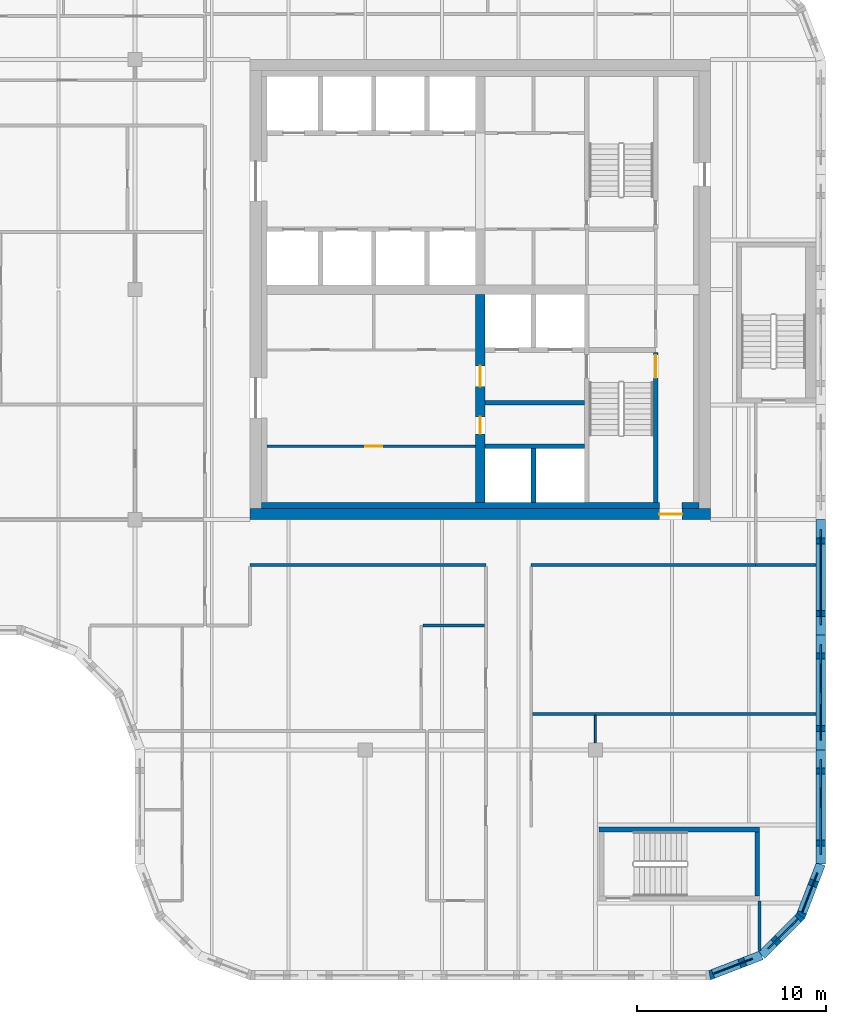
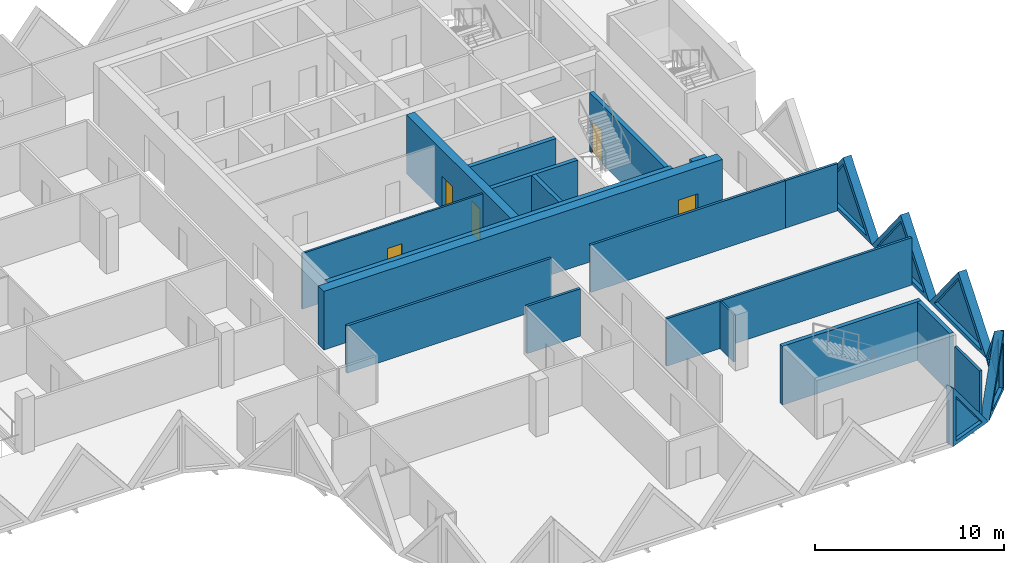
# One storey, part 5 of 12: 24 walls, 6 plates, 5 doors, 11 openings.
"""IFC4 building model written with IfcOpenShell, lengths in metres."""

from ifc_helpers import new_model, si_unit, direction, frame, frame_2d, origin, place, context, subcontext, project, spatial, polyline, rectangle, outline, extrude, faceted_brep, source, transform, mapped, material, layer, layer_set, type_object, element, fill, save


model = new_model("IFC4")

# Units and contexts
model_context = context("Model", 3, precision=1e-05, world=origin(), true_north=direction((0.0, 1.0)))
body_context = subcontext(model_context, "Body", "Model", "MODEL_VIEW")
ifc_project = project(units=[si_unit("LENGTHUNIT", "METRE"), si_unit("AREAUNIT", "SQUARE_METRE"), si_unit("VOLUMEUNIT", "CUBIC_METRE"), si_unit("PLANEANGLEUNIT", "RADIAN"), si_unit("MASSUNIT", "GRAM", prefix="KILO")], contexts=[model_context])

# Site, building, storey
site_placement = place(None, origin())
site = spatial("IfcSite", under=ifc_project, at=site_placement, CompositionType="ELEMENT")
building_placement = place(site_placement, origin())
building = spatial("IfcBuilding", under=site, at=building_placement, Name="Tessera Gate Towers", CompositionType="ELEMENT")
storey_placement = place(building_placement, frame((0.0, 0.0, 155.39990234375)))
storey = spatial("IfcBuildingStorey", under=building, at=storey_placement, Name="L38", CompositionType="ELEMENT", Elevation=155.39990234375)

# Wall, opening, door
ifc_material_1 = material(Name="Concrete C40/50", Category="concrete")
ifc_layer_1 = layer(ifc_material_1, 0.25)
ifc_layer_set_1 = layer_set([ifc_layer_1], Name="CORE ENCLOSURE WALL 250")
wall_type_1 = type_object("IfcWallType", Name="CORE ENCLOSURE WALL 250", PredefinedType="SOLIDWALL", material=ifc_layer_set_1)
wall_1_placement = place(storey_placement, frame((52.0, 25.300048828125, 0.0), z_axis=(0.0, 0.0, 1.0), x_axis=(0.0, 1.0, 0.0)))
wall_1 = element("IfcWall", 1, at=wall_1_placement, inside=storey, type_object=wall_type_1, Name="L38 shaft and stair enclosure wall", PredefinedType="SOLIDWALL", context=body_context, shape_type="SweptSolid", body=[
    extrude(rectangle(XDim=7.974853515625, YDim=0.25, at=frame_2d((3.9873046875, 0.0))), origin(), (0.0, 0.0, 1.0), 3.800048828125),
])
shared_shape_1 = source(origin(), body_context, "Body", "SweptSolid", [
    extrude(rectangle(XDim=1.199951171875, YDim=2.10009765625, at=frame_2d((0.60009765625, 1.050048828125))), frame((0.0, 0.135009765625, 0.0), z_axis=(0.0, -1.0, 0.0), x_axis=(1.0, 0.0, 0.0)), (0.0, 0.0, 1.0), 0.27001953125),
])
opening_1_placement = place(wall_1_placement, frame((6.625, 0.0, 0.0)))
opening_1 = element("IfcOpeningElement", 2, at=opening_1_placement, cuts=wall_1, Name="Opening SD-ST1-2", PredefinedType="OPENING", context=body_context, shape_type="MappedRepresentation", body=[
    mapped(shared_shape_1, transform((0.0, 0.0, 0.0), scale=1.0)),
])
ifc_material_2 = material(Name="Hollow steel fire door", Category="steel")
door_type_1 = type_object("IfcDoorType", Name="CORE DOOR SD 1200x2100", OperationType="NOTDEFINED", PredefinedType="DOOR", material=ifc_material_2)
shared_shape_2 = source(origin(), body_context, "Body", "SweptSolid", [
    extrude(rectangle(XDim=1.199951171875, YDim=2.10009765625, at=frame_2d((0.60009765625, 1.050048828125))), frame((0.0, 0.02490234375, 0.0), z_axis=(0.0, -1.0, 0.0), x_axis=(1.0, 0.0, 0.0)), (0.0, 0.0, 1.0), 0.050048828125),
])
door_1_placement = place(opening_1_placement, origin())
door_1 = element("IfcDoor", 3, at=door_1_placement, inside=storey, type_object=door_type_1, Name="Stair door", OperationType="SINGLE_SWING_RIGHT", OverallHeight=2.10009765625, OverallWidth=1.199951171875, PredefinedType="DOOR", context=body_context, shape_type="MappedRepresentation", body=[
    mapped(shared_shape_2, transform((0.0, 0.0, 0.0), scale=1.0)),
])
fill(opening_1, door_1)

# Walls
for number, where, z_axis, x_axis, name in (
    (4, (42.949951171875, 28.300048828125, 0.0), (0.0, 0.0, 1.0), (1.0, 0.0, 0.0), "L38 shaft and stair enclosure wall"),
    (5, (42.949951171875, 30.60009765625, 0.0), (0.0, 0.0, 1.0), (1.0, 0.0, 0.0), "L38 shaft and stair enclosure wall"),
):
    element("IfcWall", number, at=place(storey_placement, frame(where, z_axis=z_axis, x_axis=x_axis)), inside=storey, type_object=wall_type_1, Name=name, PredefinedType="SOLIDWALL", context=body_context, shape_type="SweptSolid", body=[
        extrude(rectangle(XDim=5.275146484375, YDim=0.25, at=frame_2d((2.6376953125, 0.0))), origin(), (0.0, 0.0, 1.0), 3.800048828125),
    ])
wall_2_placement = place(storey_placement, frame((45.52490234375, 25.300048828125, 0.0), z_axis=(0.0, 0.0, 1.0), x_axis=(0.0, 1.0, 0.0)))
element("IfcWall", 6, at=wall_2_placement, inside=storey, type_object=wall_type_1, Name="L38 shaft and stair enclosure wall", PredefinedType="SOLIDWALL", context=body_context, shape_type="SweptSolid", body=[
    extrude(rectangle(XDim=2.875, YDim=0.25, at=frame_2d((1.4375, 0.0))), origin(), (0.0, 0.0, 1.0), 3.800048828125),
])
wall_3_placement = place(storey_placement, frame((49.0, 7.97509765625, 0.0), z_axis=(0.0, 0.0, 1.0), x_axis=(1.0, 0.0, 0.0)))
element("IfcWall", 7, at=wall_3_placement, inside=storey, type_object=wall_type_1, Name="L38 ST4 enclosure wall", PredefinedType="SOLIDWALL", context=body_context, shape_type="SweptSolid", body=[
    extrude(rectangle(XDim=8.5, YDim=0.25, at=frame_2d((4.25, 0.0))), origin(), (0.0, 0.0, 1.0), 3.800048828125),
])
wall_4_placement = place(storey_placement, frame((57.375, 7.85009765625, 0.0), z_axis=(0.0, 0.0, 1.0), x_axis=(0.0, -1.0, 0.0)))
element("IfcWall", 8, at=wall_4_placement, inside=storey, type_object=wall_type_1, Name="L38 ST4 enclosure wall", PredefinedType="SOLIDWALL", context=body_context, shape_type="SweptSolid", body=[
    extrude(rectangle(XDim=3.400146484375, YDim=0.25, at=frame_2d((1.7001953125, 0.0))), origin(), (0.0, 0.0, 1.0), 3.800048828125),
])

# Wall, opening, door
ifc_material_3 = material(Name="Gypsum board on steel studs", Category="steel")
ifc_layer_2 = layer(ifc_material_3, 0.1201171875)
ifc_layer_set_2 = layer_set([ifc_layer_2], Name="CORE PARTITION 120")
wall_type_2 = type_object("IfcWallType", Name="CORE PARTITION 120", PredefinedType="PARTITIONING", material=ifc_layer_set_2)
wall_5_placement = place(storey_placement, frame((42.449951171875, 28.300048828125, 0.0), z_axis=(0.0, 0.0, 1.0), x_axis=(-1.0, 0.0, 0.0)))
wall_5 = element("IfcWall", 9, at=wall_5_placement, inside=storey, type_object=wall_type_2, Name="L38 core partition", PredefinedType="PARTITIONING", context=body_context, shape_type="SweptSolid", body=[
    extrude(rectangle(XDim=11.050048828125, YDim=0.1201171875, at=frame_2d((5.52490234375, 0.0))), origin(), (0.0, 0.0, 1.0), 3.60009765625),
])
shared_shape_3 = source(origin(), body_context, "Body", "SweptSolid", [
    extrude(rectangle(XDim=0.89990234375, YDim=2.10009765625, at=frame_2d((0.449951171875, 1.050048828125))), frame((0.0, 0.070068359375, 0.0), z_axis=(0.0, -1.0, 0.0), x_axis=(1.0, 0.0, 0.0)), (0.0, 0.0, 1.0), 0.14013671875),
])
opening_2_placement = place(wall_5_placement, frame((4.949951171875, 0.0, 0.0)))
opening_2 = element("IfcOpeningElement", 10, at=opening_2_placement, cuts=wall_5, Name="Opening RD-T1-25-07", PredefinedType="OPENING", context=body_context, shape_type="MappedRepresentation", body=[
    mapped(shared_shape_3, transform((0.0, 0.0, 0.0), scale=1.0)),
])
ifc_material_4 = material(Name="Hollow steel fire door", Category="steel")
door_type_2 = type_object("IfcDoorType", Name="CORE DOOR RD 900x2100", OperationType="NOTDEFINED", PredefinedType="DOOR", material=ifc_material_4)
shared_shape_4 = source(origin(), body_context, "Body", "SweptSolid", [
    extrude(rectangle(XDim=0.89990234375, YDim=2.10009765625, at=frame_2d((0.449951171875, 1.050048828125))), frame((0.0, 0.02490234375, 0.0), z_axis=(0.0, -1.0, 0.0), x_axis=(1.0, 0.0, 0.0)), (0.0, 0.0, 1.0), 0.050048828125),
])
door_2_placement = place(opening_2_placement, origin())
door_2 = element("IfcDoor", 11, at=door_2_placement, inside=storey, type_object=door_type_2, Name="Core room door", OperationType="SINGLE_SWING_LEFT", OverallHeight=2.10009765625, OverallWidth=0.89990234375, PredefinedType="DOOR", context=body_context, shape_type="MappedRepresentation", body=[
    mapped(shared_shape_4, transform((0.0, 0.0, 0.0), scale=1.0)),
])
fill(opening_2, door_2)

ifc_material_5 = material(Name="Concrete C50/60", Category="concrete")
ifc_layer_3 = layer(ifc_material_5, 0.60009765625)
ifc_layer_set_3 = layer_set([ifc_layer_3], Name="CORE SHEAR WALL 600 C50/60")
wall_type_3 = type_object("IfcWallType", Name="CORE SHEAR WALL 600 C50/60", PredefinedType="SHEAR", material=ifc_layer_set_3)
wall_6_placement = place(storey_placement, frame((54.89990234375, 24.699951171875, 0.0), z_axis=(0.0, 0.0, 1.0), x_axis=(-1.0, 0.0, 0.0)))
wall_6 = element("IfcWall", 12, at=wall_6_placement, inside=storey, type_object=wall_type_3, Name="Core wall S L38", PredefinedType="SHEAR", context=body_context, shape_type="SweptSolid", body=[
    extrude(rectangle(XDim=24.39990234375, YDim=0.60009765625, at=frame_2d((12.199951171875, 0.0))), origin(), (0.0, 0.0, 1.0), 3.800048828125),
])
shared_shape_5 = source(origin(), body_context, "Body", "SweptSolid", [
    extrude(rectangle(XDim=1.199951171875, YDim=2.10009765625, at=frame_2d((0.60009765625, 1.050048828125))), frame((0.0, 0.31005859375, 0.0), z_axis=(0.0, -1.0, 0.0), x_axis=(1.0, 0.0, 0.0)), (0.0, 0.0, 1.0), 0.6201171875),
])
opening_3_placement = place(wall_6_placement, frame((1.5, 0.0, 0.0)))
opening_3 = element("IfcOpeningElement", 13, at=opening_3_placement, cuts=wall_6, Name="Opening ED-T1-25-01", PredefinedType="OPENING", context=body_context, shape_type="MappedRepresentation", body=[
    mapped(shared_shape_5, transform((0.0, 0.0, 0.0), scale=1.0)),
])
ifc_material_6 = material(Name="Hollow steel fire door", Category="steel")
door_type_3 = type_object("IfcDoorType", Name="CORE DOOR ED 1200x2100", OperationType="NOTDEFINED", PredefinedType="DOOR", material=ifc_material_6)
door_3_placement = place(opening_3_placement, origin())
door_3 = element("IfcDoor", 14, at=door_3_placement, inside=storey, type_object=door_type_3, Name="Core exit door", OperationType="SINGLE_SWING_LEFT", OverallHeight=2.10009765625, OverallWidth=1.199951171875, PredefinedType="DOOR", context=body_context, shape_type="MappedRepresentation", body=[
    mapped(shared_shape_2, transform((0.0, 0.0, 0.0), scale=1.0)),
])
fill(opening_3, door_3)

# Wall, openings, doors
ifc_material_7 = material(Name="Concrete C50/60", Category="concrete")
ifc_layer_4 = layer(ifc_material_7, 0.5)
ifc_layer_set_4 = layer_set([ifc_layer_4], Name="CORE SPINE WALL 500 C50/60")
wall_type_4 = type_object("IfcWallType", Name="CORE SPINE WALL 500 C50/60", PredefinedType="SHEAR", material=ifc_layer_set_4)
wall_7_placement = place(storey_placement, frame((42.699951171875, 36.35009765625, 0.0), z_axis=(0.0, 0.0, 1.0), x_axis=(0.0, -1.0, 0.0)))
wall_7 = element("IfcWall", 15, at=wall_7_placement, inside=storey, type_object=wall_type_4, Name="Core wall spine L38", PredefinedType="SHEAR", context=body_context, shape_type="SweptSolid", body=[
    extrude(rectangle(XDim=11.050048828125, YDim=0.5, at=frame_2d((5.52490234375, 0.0))), origin(), (0.0, 0.0, 1.0), 3.800048828125),
])
shared_shape_6 = source(origin(), body_context, "Body", "SweptSolid", [
    extrude(rectangle(XDim=0.89990234375, YDim=2.10009765625, at=frame_2d((0.449951171875, 1.050048828125))), frame((0.0, 0.260009765625, 0.0), z_axis=(0.0, -1.0, 0.0), x_axis=(1.0, 0.0, 0.0)), (0.0, 0.0, 1.0), 0.52001953125),
])
opening_4_placement = place(wall_7_placement, frame((6.5, 0.0, 0.0)))
opening_4 = element("IfcOpeningElement", 16, at=opening_4_placement, cuts=wall_7, Name="Opening RD-T1-25-05", PredefinedType="OPENING", context=body_context, shape_type="MappedRepresentation", body=[
    mapped(shared_shape_6, transform((0.0, 0.0, 0.0), scale=1.0)),
])
shared_shape_7 = source(origin(), body_context, "Body", "SweptSolid", [
    extrude(rectangle(XDim=1.10009765625, YDim=2.10009765625, at=frame_2d((0.550048828125, 1.050048828125))), frame((0.0, 0.260009765625, 0.0), z_axis=(0.0, -1.0, 0.0), x_axis=(1.0, 0.0, 0.0)), (0.0, 0.0, 1.0), 0.52001953125),
])
opening_5_placement = place(wall_7_placement, frame((3.800048828125, 0.0, 0.0)))
opening_5 = element("IfcOpeningElement", 17, at=opening_5_placement, cuts=wall_7, Name="Opening FD-T1-25-06", PredefinedType="OPENING", context=body_context, shape_type="MappedRepresentation", body=[
    mapped(shared_shape_7, transform((0.0, 0.0, 0.0), scale=1.0)),
])
door_4_placement = place(opening_4_placement, origin())
door_4 = element("IfcDoor", 18, at=door_4_placement, inside=storey, type_object=door_type_2, Name="Core room door", OperationType="SINGLE_SWING_RIGHT", OverallHeight=2.10009765625, OverallWidth=0.89990234375, PredefinedType="DOOR", context=body_context, shape_type="MappedRepresentation", body=[
    mapped(shared_shape_4, transform((0.0, 0.0, 0.0), scale=1.0)),
])
fill(opening_4, door_4)
ifc_material_8 = material(Name="Hollow steel fire door", Category="steel")
door_type_4 = type_object("IfcDoorType", Name="CORE DOOR FD 1100x2100", OperationType="NOTDEFINED", PredefinedType="DOOR", material=ifc_material_8)
shared_shape_8 = source(origin(), body_context, "Body", "SweptSolid", [
    extrude(rectangle(XDim=1.10009765625, YDim=2.10009765625, at=frame_2d((0.550048828125, 1.050048828125))), frame((0.0, 0.02490234375, 0.0), z_axis=(0.0, -1.0, 0.0), x_axis=(1.0, 0.0, 0.0)), (0.0, 0.0, 1.0), 0.050048828125),
])
door_5_placement = place(opening_5_placement, origin())
door_5 = element("IfcDoor", 19, at=door_5_placement, inside=storey, type_object=door_type_4, Name="Fire-fighting lobby door", OperationType="SINGLE_SWING_LEFT", OverallHeight=2.10009765625, OverallWidth=1.10009765625, PredefinedType="DOOR", context=body_context, shape_type="MappedRepresentation", body=[
    mapped(shared_shape_8, transform((0.0, 0.0, 0.0), scale=1.0)),
])
fill(opening_5, door_5)

# Walls
ifc_material_9 = material(Name="Concrete C50/60", Category="concrete")
ifc_layer_5 = layer(ifc_material_9, 0.300048828125)
ifc_layer_set_5 = layer_set([ifc_layer_5], Name="CORE WALL THICKENING 300")
wall_type_5 = type_object("IfcWallType", Name="CORE WALL THICKENING 300", PredefinedType="SOLIDWALL", material=ifc_layer_set_5)
wall_8_placement = place(storey_placement, frame((31.10009765625, 25.14990234375, 0.0), z_axis=(0.0, 0.0, 1.0), x_axis=(1.0, 0.0, 0.0)))
element("IfcWall", 20, at=wall_8_placement, inside=storey, type_object=wall_type_5, Name="Core wall thickening S L38", PredefinedType="SOLIDWALL", context=body_context, shape_type="SweptSolid", body=[
    extrude(rectangle(XDim=21.099853515625, YDim=0.300048828125, at=frame_2d((10.5498046875, 0.0))), origin(), (0.0, 0.0, 1.0), 3.800048828125),
])
wall_9_placement = place(storey_placement, frame((53.39990234375, 25.14990234375, 0.0), z_axis=(0.0, 0.0, 1.0), x_axis=(1.0, 0.0, 0.0)))
element("IfcWall", 21, at=wall_9_placement, inside=storey, type_object=wall_type_5, Name="Core wall thickening S L38", PredefinedType="SOLIDWALL", context=body_context, shape_type="SweptSolid", body=[
    extrude(rectangle(XDim=0.900146484375, YDim=0.300048828125, at=frame_2d((0.4501953125, 0.0))), origin(), (0.0, 0.0, 1.0), 3.800048828125),
])
ifc_material_10 = material(Name="Gypsum board on steel studs, mineral wool", Category="steel")
ifc_layer_6 = layer(ifc_material_10, 0.14990234375)
ifc_layer_set_6 = layer_set([ifc_layer_6], Name="CORRIDOR WALL 150")
wall_type_6 = type_object("IfcWallType", Name="CORRIDOR WALL 150", PredefinedType="PARTITIONING", material=ifc_layer_set_6)
wall_10_placement = place(storey_placement, frame((57.5, 1.55908203125, 0.0), z_axis=(0.0, 0.0, 1.0), x_axis=(0.0, 1.0, 0.0)))
element("IfcWall", 22, at=wall_10_placement, inside=storey, type_object=wall_type_6, Name="T1-L38-PW-002", PredefinedType="PARTITIONING", context=body_context, shape_type="SweptSolid", body=[
    extrude(rectangle(XDim=2.640869140625, YDim=0.14990234375, at=frame_2d((1.3203125, 0.0))), origin(), (0.0, 0.0, 1.0), 3.067138671875),
])
wall_11_placement = place(storey_placement, frame((30.5, 22.0, 0.0), z_axis=(0.0, 0.0, 1.0), x_axis=(1.0, 0.0, 0.0)))
element("IfcWall", 23, at=wall_11_placement, inside=storey, type_object=wall_type_6, Name="T1-L38-PW-022", PredefinedType="PARTITIONING", context=body_context, shape_type="SweptSolid", body=[
    extrude(rectangle(XDim=12.5, YDim=0.14990234375, at=frame_2d((6.25, 0.0))), origin(), (0.0, 0.0, 1.0), 3.067138671875),
])
wall_12_placement = place(storey_placement, frame((45.39990234375, 22.0, 0.0), z_axis=(0.0, 0.0, 1.0), x_axis=(1.0, 0.0, 0.0)))
element("IfcWall", 24, at=wall_12_placement, inside=storey, type_object=wall_type_6, Name="T1-L38-PW-023", PredefinedType="PARTITIONING", context=body_context, shape_type="SweptSolid", body=[
    extrude(rectangle(XDim=11.900146484375, YDim=0.14990234375, at=frame_2d((5.9501953125, 0.0))), origin(), (0.0, 0.0, 1.0), 3.067138671875),
])
ifc_material_11 = material(Name="Gypsum board on steel studs", Category="steel")
ifc_layer_7 = layer(ifc_material_11, 0.10009765625)
ifc_layer_set_7 = layer_set([ifc_layer_7], Name="PARTITION 100")
wall_type_7 = type_object("IfcWallType", Name="PARTITION 100", PredefinedType="PARTITIONING", material=ifc_layer_set_7)
wall_13_placement = place(storey_placement, frame((48.800048828125, 12.574951171875, 0.0), z_axis=(0.0, 0.0, 1.0), x_axis=(0.0, 1.0, 0.0)))
element("IfcWall", 25, at=wall_13_placement, inside=storey, type_object=wall_type_7, Name="T1-L38-PW-009", PredefinedType="PARTITIONING", context=body_context, shape_type="SweptSolid", body=[
    extrude(rectangle(XDim=1.449951171875, YDim=0.10009765625, at=frame_2d((0.72509765625, 0.0))), origin(), (0.0, 0.0, 1.0), 3.067138671875),
])
ifc_material_12 = material(Name="Gypsum board on steel studs, mineral wool", Category="steel")
ifc_layer_8 = layer(ifc_material_12, 0.14990234375)
ifc_layer_set_8 = layer_set([ifc_layer_8], Name="TENANCY WALL 150")
wall_type_8 = type_object("IfcWallType", Name="TENANCY WALL 150", PredefinedType="PARTITIONING", material=ifc_layer_set_8)
wall_14_placement = place(storey_placement, frame((45.47607421875, 14.10009765625, 0.0), z_axis=(0.0, 0.0, 1.0), x_axis=(1.0, 0.0, 0.0)))
element("IfcWall", 26, at=wall_14_placement, inside=storey, type_object=wall_type_8, Name="T1-L38-PW-014", PredefinedType="PARTITIONING", context=body_context, shape_type="SweptSolid", body=[
    extrude(rectangle(XDim=15.02392578125, YDim=0.14990234375, at=frame_2d((7.511962890625, 0.0))), origin(), (0.0, 0.0, 1.0), 3.067138671875),
])
wall_15_placement = place(storey_placement, frame((39.65087890625, 18.800048828125, 0.0), z_axis=(0.0, 0.0, 1.0), x_axis=(1.0, 0.0, 0.0)))
element("IfcWall", 27, at=wall_15_placement, inside=storey, type_object=wall_type_8, Name="T1-L38-PW-020", PredefinedType="PARTITIONING", context=body_context, shape_type="SweptSolid", body=[
    extrude(rectangle(XDim=3.273193359375, YDim=0.14990234375, at=frame_2d((1.63671875, 0.0))), origin(), (0.0, 0.0, 1.0), 3.067138671875),
])
wall_16_placement = place(storey_placement, frame((57.301025390625, 22.0, 0.0), z_axis=(0.0, 0.0, 1.0), x_axis=(1.0, 0.0, 0.0)))
element("IfcWall", 28, at=wall_16_placement, inside=storey, type_object=wall_type_8, Name="T1-L38-PW-024", PredefinedType="PARTITIONING", context=body_context, shape_type="SweptSolid", body=[
    extrude(rectangle(XDim=3.198974609375, YDim=0.14990234375, at=frame_2d((1.599609375, 0.0))), origin(), (0.0, 0.0, 1.0), 3.067138671875),
])

# Wall, opening, plate
ifc_material_13 = material(Name="Precast concrete C60/75 white", Category="concrete")
ifc_layer_9 = layer(ifc_material_13, 0.5)
ifc_layer_set_9 = layer_set([ifc_layer_9], Name="TS2 half tessera")
wall_type_9 = type_object("IfcWallType", Name="TS2 half tessera", PredefinedType="SOLIDWALL", material=ifc_layer_set_9)
shared_shape_9 = source(origin(), body_context, "Body", "Brep", [
    faceted_brep([(6.099853515625, -0.25, 0.000244140625), (3.050048828125, -0.25, 3.800048828125), (0.0, -0.25, 0.0), (6.099853515625, -0.25, 0.0), (0.0, 0.25, 0.0), (3.050048828125, 0.25, 3.800048828125), (6.099853515625, 0.25, 0.000244140625), (6.099853515625, 0.25, 0.0)], [[[0, 1, 2, 3]], [[4, 5, 6, 7]], [[6, 5, 1, 0]], [[5, 4, 2, 1]], [[4, 7, 3, 2]], [[3, 7, 6, 0]]]),
])
wall_17_placement = place(storey_placement, frame((60.75, 18.300048828125, 0.0), z_axis=(0.0, 0.0, 1.0), x_axis=(0.0, 1.0, 0.0)))
wall_17 = element("IfcWall", 29, at=wall_17_placement, inside=storey, type_object=wall_type_9, Name="Precast half tessera T1 TS2-0189", PredefinedType="SOLIDWALL", context=body_context, shape_type="MappedRepresentation", body=[
    mapped(shared_shape_9, transform((0.0, 0.0, 0.0), scale=1.0)),
])
shared_shape_10 = source(origin(), body_context, "Body", "SweptSolid", [
    extrude(outline(polyline([(5.578857421875, 0.25), (3.050048828125, 3.400634765625), (0.521240234375, 0.25), (5.578857421875, 0.25)])), frame((0.0, 0.260009765625, 0.0), z_axis=(0.0, -1.0, 0.0), x_axis=(1.0, 0.0, 0.0)), (0.0, 0.0, 1.0), 0.52001953125),
])
opening_6_placement = place(wall_17_placement, origin())
opening_6 = element("IfcOpeningElement", 30, at=opening_6_placement, cuts=wall_17, Name="Opening T1-PL1-0387", PredefinedType="OPENING", context=body_context, shape_type="MappedRepresentation", body=[
    mapped(shared_shape_10, transform((0.0, 0.0, 0.0), scale=1.0)),
])
ifc_material_14 = material(Name="Low-e laminated glass", Category="glass")
ifc_layer_10 = layer(ifc_material_14, 0.06005859375)
ifc_layer_set_10 = layer_set([ifc_layer_10], Name="PL1 triangular pane")
plate_type = type_object("IfcPlateType", Name="PL1 triangular pane", PredefinedType="SHEET", material=ifc_layer_set_10)
shared_shape_11 = source(origin(), body_context, "Body", "SweptSolid", [
    extrude(outline(polyline([(5.578857421875, 0.25), (3.050048828125, 3.400634765625), (0.521240234375, 0.25), (5.578857421875, 0.25)])), frame((0.0, 0.030029296875, 0.0), z_axis=(0.0, -1.0, 0.0), x_axis=(1.0, 0.0, 0.0)), (0.0, 0.0, 1.0), 0.06005859375),
])
plate_1_placement = place(opening_6_placement, origin())
plate_1 = element("IfcPlate", 31, at=plate_1_placement, inside=storey, type_object=plate_type, Name="Glass pane T1 PL1-0387", PredefinedType="SHEET", context=body_context, shape_type="MappedRepresentation", body=[
    mapped(shared_shape_11, transform((0.0, 0.0, 0.0), scale=1.0)),
])
fill(opening_6, plate_1)

shared_shape_12 = source(origin(), body_context, "Body", "SweptSolid", [
    extrude(outline(polyline([(6.10009765625, 0.0), (3.050048828125, 3.800048828125), (0.0, 0.0), (6.10009765625, 0.0)])), frame((0.0, 0.25, 0.0), z_axis=(0.0, -1.0, 0.0), x_axis=(1.0, 0.0, 0.0)), (0.0, 0.0, 1.0), 0.5),
])
wall_18_placement = place(storey_placement, frame((60.75, 12.199951171875, 0.0), z_axis=(0.0, 0.0, 1.0), x_axis=(0.0, 1.0, 0.0)))
wall_18 = element("IfcWall", 32, at=wall_18_placement, inside=storey, type_object=wall_type_9, Name="Precast half tessera T1 TS2-0188", PredefinedType="SOLIDWALL", context=body_context, shape_type="MappedRepresentation", body=[
    mapped(shared_shape_12, transform((0.0, 0.0, 0.0), scale=1.0)),
])
opening_7_placement = place(wall_18_placement, origin())
opening_7 = element("IfcOpeningElement", 33, at=opening_7_placement, cuts=wall_18, Name="Opening T1-PL1-0386", PredefinedType="OPENING", context=body_context, shape_type="MappedRepresentation", body=[
    mapped(shared_shape_10, transform((0.0, 0.0, 0.0), scale=1.0)),
])
plate_2_placement = place(opening_7_placement, origin())
plate_2 = element("IfcPlate", 34, at=plate_2_placement, inside=storey, type_object=plate_type, Name="Glass pane T1 PL1-0386", PredefinedType="SHEET", context=body_context, shape_type="MappedRepresentation", body=[
    mapped(shared_shape_11, transform((0.0, 0.0, 0.0), scale=1.0)),
])
fill(opening_7, plate_2)

ifc_material_15 = material(Name="Precast concrete C60/75 white", Category="concrete")
ifc_layer_11 = layer(ifc_material_15, 0.5)
ifc_layer_set_11 = layer_set([ifc_layer_11], Name="TS3 corner tessera")
wall_type_10 = type_object("IfcWallType", Name="TS3 corner tessera", PredefinedType="SOLIDWALL", material=ifc_layer_set_11)
shared_shape_13 = source(origin(), body_context, "Body", "Brep", [
    faceted_brep([(2.9970703125, -0.25, 0.0), (0.046630859375, -0.25, 3.800048828125), (0.0, -0.25, 3.7412109375), (0.0, -0.25, 0.0), (0.09326171875, 0.25, 3.739990234375), (2.9443359375, 0.25, 0.068115234375), (2.9443359375, 0.25, 0.0), (0.09326171875, 0.25, 0.0), (0.046630859375, 0.0, 3.800048828125), (2.9970703125, 0.00048828125, 0.0)], [[[0, 1, 2, 3]], [[4, 5, 6, 7]], [[5, 4, 8, 1, 0, 9]], [[2, 1, 8]], [[7, 6, 9, 0, 3]], [[7, 3, 2, 8, 4]], [[9, 6, 5]]]),
])
wall_19_placement = place(storey_placement, frame((54.81005859375, 0.233154296875, 0.0), z_axis=(0.0, 0.0, 1.0), x_axis=(0.932990326376, 0.359901446078, 0.0)))
wall_19 = element("IfcWall", 35, at=wall_19_placement, inside=storey, type_object=wall_type_10, Name="Precast corner tessera T1 TS3-0868", PredefinedType="SOLIDWALL", context=body_context, shape_type="MappedRepresentation", body=[
    mapped(shared_shape_13, transform((0.0, 0.0, 0.0), scale=1.0)),
])
shared_shape_14 = source(origin(), body_context, "Body", "SweptSolid", [
    extrude(outline(polyline([(2.486572265625, 0.25), (0.24658203125, 3.134765625), (0.24658203125, 0.25), (2.486572265625, 0.25)])), frame((0.0, 0.260009765625, 0.0), z_axis=(0.0, -1.0, 0.0), x_axis=(1.0, 0.0, 0.0)), (0.0, 0.0, 1.0), 0.52001953125),
])
opening_8_placement = place(wall_19_placement, origin())
opening_8 = element("IfcOpeningElement", 36, at=opening_8_placement, cuts=wall_19, Name="Opening T1-PL1-0382", PredefinedType="OPENING", context=body_context, shape_type="MappedRepresentation", body=[
    mapped(shared_shape_14, transform((0.0, 0.0, 0.0), scale=1.0)),
])
shared_shape_15 = source(origin(), body_context, "Body", "SweptSolid", [
    extrude(outline(polyline([(2.486572265625, 0.25), (0.24658203125, 3.134765625), (0.24658203125, 0.25), (2.486572265625, 0.25)])), frame((0.0, 0.030029296875, 0.0), z_axis=(0.0, -1.0, 0.0), x_axis=(1.0, 0.0, 0.0)), (0.0, 0.0, 1.0), 0.06005859375),
])
plate_3_placement = place(opening_8_placement, origin())
plate_3 = element("IfcPlate", 37, at=plate_3_placement, inside=storey, type_object=plate_type, Name="Glass pane T1 PL1-0382", PredefinedType="SHEET", context=body_context, shape_type="MappedRepresentation", body=[
    mapped(shared_shape_15, transform((0.0, 0.0, 0.0), scale=1.0)),
])
fill(opening_8, plate_3)

shared_shape_16 = source(origin(), body_context, "Body", "Brep", [
    faceted_brep([(2.9970703125, -0.25, 3.73193359375), (2.944091796875, -0.25, 3.800048828125), (0.0, -0.25, 0.0), (2.9970703125, -0.25, 0.0), (0.052978515625, 0.25, 0.068359375), (2.89111328125, 0.25, 3.73193359375), (2.89111328125, 0.25, 0.0), (0.052978515625, 0.25, 0.0), (2.944091796875, 0.000244140625, 3.800048828125), (0.0, 0.0, 0.0)], [[[0, 1, 2, 3]], [[4, 5, 6, 7]], [[8, 1, 0]], [[5, 4, 9, 2, 1, 8]], [[7, 6, 3, 2, 9]], [[7, 9, 4]], [[3, 6, 5, 8, 0]]]),
])
wall_20_placement = place(storey_placement, frame((57.606201171875, 1.31201171875, 0.0), z_axis=(0.0, 0.0, 1.0), x_axis=(0.707147509625, 0.707066050402, 0.0)))
wall_20 = element("IfcWall", 38, at=wall_20_placement, inside=storey, type_object=wall_type_10, Name="Precast corner tessera T1 TS3-0869", PredefinedType="SOLIDWALL", context=body_context, shape_type="MappedRepresentation", body=[
    mapped(shared_shape_16, transform((0.0, 0.0, 0.0), scale=1.0)),
])
shared_shape_17 = source(origin(), body_context, "Body", "SweptSolid", [
    extrude(outline(polyline([(2.744140625, 3.1337890625), (0.510009765625, 0.25), (2.744140625, 0.25), (2.744140625, 3.1337890625)])), frame((0.0, 0.260009765625, 0.0), z_axis=(0.0, -1.0, 0.0), x_axis=(1.0, 0.0, 0.0)), (0.0, 0.0, 1.0), 0.52001953125),
])
opening_9_placement = place(wall_20_placement, origin())
opening_9 = element("IfcOpeningElement", 39, at=opening_9_placement, cuts=wall_20, Name="Opening T1-PL1-0383", PredefinedType="OPENING", context=body_context, shape_type="MappedRepresentation", body=[
    mapped(shared_shape_17, transform((0.0, 0.0, 0.0), scale=1.0)),
])
shared_shape_18 = source(origin(), body_context, "Body", "SweptSolid", [
    extrude(outline(polyline([(2.744140625, 3.1337890625), (0.510009765625, 0.25), (2.744140625, 0.25), (2.744140625, 3.1337890625)])), frame((0.0, 0.030029296875, 0.0), z_axis=(0.0, -1.0, 0.0), x_axis=(1.0, 0.0, 0.0)), (0.0, 0.0, 1.0), 0.06005859375),
])
plate_4_placement = place(opening_9_placement, origin())
plate_4 = element("IfcPlate", 40, at=plate_4_placement, inside=storey, type_object=plate_type, Name="Glass pane T1 PL1-0383", PredefinedType="SHEET", context=body_context, shape_type="MappedRepresentation", body=[
    mapped(shared_shape_18, transform((0.0, 0.0, 0.0), scale=1.0)),
])
fill(opening_9, plate_4)

shared_shape_19 = source(origin(), body_context, "Body", "Brep", [
    faceted_brep([(3.00341796875, -0.25, 0.0), (0.052978515625, -0.25, 3.800048828125), (0.0, -0.25, 3.731689453125), (0.0, -0.25, 0.0), (0.10595703125, 0.25, 3.73193359375), (2.95703125, 0.25, 0.059814453125), (2.95703125, 0.25, 0.0), (0.10595703125, 0.25, 0.0), (0.052978515625, 0.0, 3.800048828125), (3.00341796875, 0.00048828125, 0.0)], [[[0, 1, 2, 3]], [[4, 5, 6, 7]], [[5, 4, 8, 1, 0, 9]], [[2, 1, 8]], [[7, 6, 9, 0, 3]], [[7, 3, 2, 8, 4]], [[9, 6, 5]]]),
])
wall_21_placement = place(storey_placement, frame((59.6689453125, 3.34423828125, 0.0), z_axis=(0.0, 0.0, 1.0), x_axis=(0.35992665181, 0.932980602862, 0.0)))
wall_21 = element("IfcWall", 41, at=wall_21_placement, inside=storey, type_object=wall_type_10, Name="Precast corner tessera T1 TS3-0870", PredefinedType="SOLIDWALL", context=body_context, shape_type="MappedRepresentation", body=[
    mapped(shared_shape_19, transform((0.0, 0.0, 0.0), scale=1.0)),
])
shared_shape_20 = source(origin(), body_context, "Body", "SweptSolid", [
    extrude(outline(polyline([(2.492919921875, 0.25), (0.2529296875, 3.134765625), (0.2529296875, 0.25), (2.492919921875, 0.25)])), frame((0.0, 0.260009765625, 0.0), z_axis=(0.0, -1.0, 0.0), x_axis=(1.0, 0.0, 0.0)), (0.0, 0.0, 1.0), 0.52001953125),
])
opening_10_placement = place(wall_21_placement, origin())
opening_10 = element("IfcOpeningElement", 42, at=opening_10_placement, cuts=wall_21, Name="Opening T1-PL1-0384", PredefinedType="OPENING", context=body_context, shape_type="MappedRepresentation", body=[
    mapped(shared_shape_20, transform((0.0, 0.0, 0.0), scale=1.0)),
])
shared_shape_21 = source(origin(), body_context, "Body", "SweptSolid", [
    extrude(outline(polyline([(2.492919921875, 0.25), (0.2529296875, 3.134765625), (0.2529296875, 0.25), (2.492919921875, 0.25)])), frame((0.0, 0.030029296875, 0.0), z_axis=(0.0, -1.0, 0.0), x_axis=(1.0, 0.0, 0.0)), (0.0, 0.0, 1.0), 0.06005859375),
])
plate_5_placement = place(opening_10_placement, origin())
plate_5 = element("IfcPlate", 43, at=plate_5_placement, inside=storey, type_object=plate_type, Name="Glass pane T1 PL1-0384", PredefinedType="SHEET", context=body_context, shape_type="MappedRepresentation", body=[
    mapped(shared_shape_21, transform((0.0, 0.0, 0.0), scale=1.0)),
])
fill(opening_10, plate_5)

shared_shape_22 = source(origin(), body_context, "Body", "Brep", [
    faceted_brep([(6.053466796875, -0.25, 0.0), (3.00341796875, -0.25, 3.800048828125), (0.0, -0.25, 0.0), (0.046630859375, 0.25, 0.058837890625), (3.00341796875, 0.25, 3.800048828125), (6.053466796875, 0.25, 0.0), (0.046630859375, 0.25, 0.0), (0.0, 0.0, 0.0)], [[[0, 1, 2]], [[3, 4, 5, 6]], [[5, 4, 1, 0]], [[4, 3, 7, 2, 1]], [[6, 5, 0, 2, 7]], [[6, 7, 3]]]),
])
wall_22_placement = place(storey_placement, frame((60.75, 6.146484375, 0.0), z_axis=(0.0, 0.0, 1.0), x_axis=(0.0, 1.0, 0.0)))
wall_22 = element("IfcWall", 44, at=wall_22_placement, inside=storey, type_object=wall_type_9, Name="Precast half tessera T1 TS2-0187", PredefinedType="SOLIDWALL", context=body_context, shape_type="MappedRepresentation", body=[
    mapped(shared_shape_22, transform((0.0, 0.0, 0.0), scale=1.0)),
])
shared_shape_23 = source(origin(), body_context, "Body", "SweptSolid", [
    extrude(outline(polyline([(5.5322265625, 0.25), (3.0048828125, 3.39892578125), (0.516357421875, 0.25), (5.5322265625, 0.25)])), frame((0.0, 0.260009765625, 0.0), z_axis=(0.0, -1.0, 0.0), x_axis=(1.0, 0.0, 0.0)), (0.0, 0.0, 1.0), 0.52001953125),
])
opening_11_placement = place(wall_22_placement, origin())
opening_11 = element("IfcOpeningElement", 45, at=opening_11_placement, cuts=wall_22, Name="Opening T1-PL1-0385", PredefinedType="OPENING", context=body_context, shape_type="MappedRepresentation", body=[
    mapped(shared_shape_23, transform((0.0, 0.0, 0.0), scale=1.0)),
])
shared_shape_24 = source(origin(), body_context, "Body", "SweptSolid", [
    extrude(outline(polyline([(5.5322265625, 0.25), (3.0048828125, 3.39892578125), (0.516357421875, 0.25), (5.5322265625, 0.25)])), frame((0.0, 0.030029296875, 0.0), z_axis=(0.0, -1.0, 0.0), x_axis=(1.0, 0.0, 0.0)), (0.0, 0.0, 1.0), 0.06005859375),
])
plate_6_placement = place(opening_11_placement, origin())
plate_6 = element("IfcPlate", 46, at=plate_6_placement, inside=storey, type_object=plate_type, Name="Glass pane T1 PL1-0385", PredefinedType="SHEET", context=body_context, shape_type="MappedRepresentation", body=[
    mapped(shared_shape_24, transform((0.0, 0.0, 0.0), scale=1.0)),
])
fill(opening_11, plate_6)

save(model, "model.ifc")
